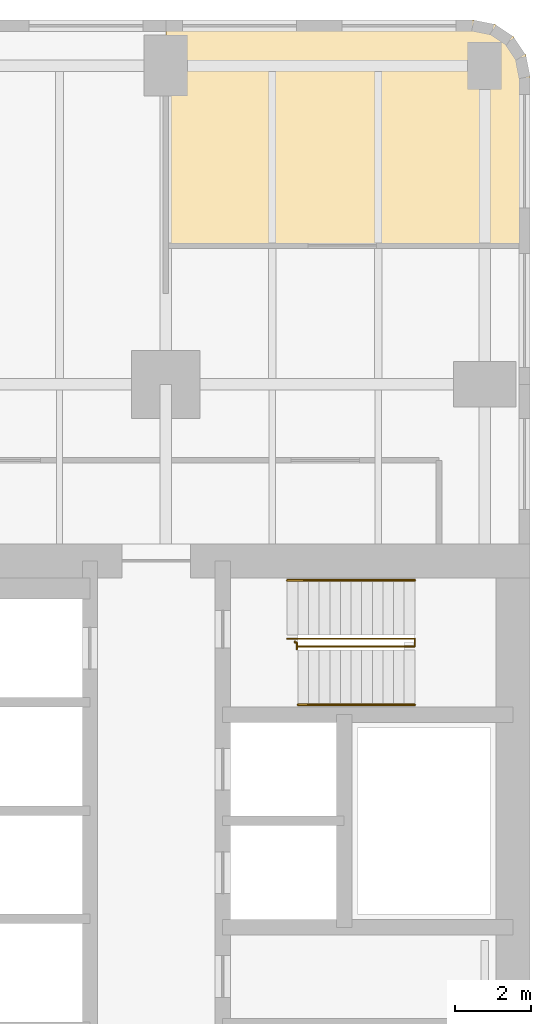
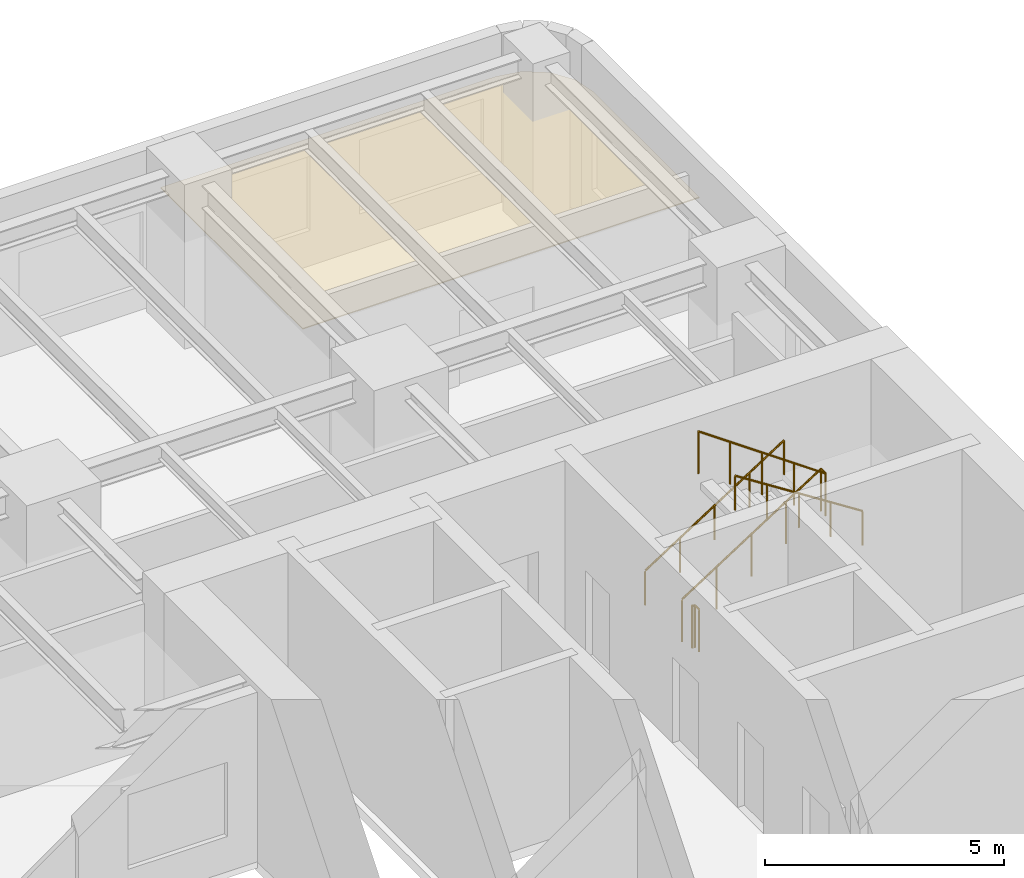
# One storey, part 14 of 14: 4 railings, 1 covering.
"""IFC4 building model written with IfcOpenShell, lengths in metres."""

from ifc_helpers import new_model, si_unit, direction, frame, origin, origin_2d, place, context, subcontext, project, spatial, polyline, circle, outline, extrude, material, layer, layer_set, type_object, element, save


model = new_model("IFC4")

# Units and contexts
model_context = context("Model", 3, precision=1e-05, world=origin(), true_north=direction((0.0, 1.0)))
body_context = subcontext(model_context, "Body", "Model", "MODEL_VIEW")
ifc_project = project(units=[si_unit("LENGTHUNIT", "METRE"), si_unit("AREAUNIT", "SQUARE_METRE"), si_unit("VOLUMEUNIT", "CUBIC_METRE"), si_unit("PLANEANGLEUNIT", "RADIAN"), si_unit("MASSUNIT", "GRAM", prefix="KILO")], contexts=[model_context])

# Site, building, storey
site_placement = place(None, origin())
site = spatial("IfcSite", under=ifc_project, at=site_placement, CompositionType="ELEMENT")
building_placement = place(site_placement, origin())
building = spatial("IfcBuilding", under=site, at=building_placement, Name="Claustro Exchange Tower", CompositionType="ELEMENT")
storey_placement = place(building_placement, frame((0.0, 0.0, 59.39990234375)))
storey = spatial("IfcBuildingStorey", under=building, at=storey_placement, Name="L13", CompositionType="ELEMENT", Elevation=59.39990234375)

# Covering
ifc_material_1 = material(Name="Gypsum board ceiling", Category="gypsum board")
ifc_layer = layer(ifc_material_1, 0.02490234375)
ifc_layer_set = layer_set([ifc_layer], Name="Gypsum board ceiling")
covering_type = type_object("IfcCoveringType", Name="CL2 plasterboard ceiling", PredefinedType="CEILING", material=ifc_layer_set)
covering_placement = place(storey_placement, frame((0.0, 0.0, 3.0)))
element("IfcCovering", 1, at=covering_placement, inside=storey, type_object=covering_type, Name="Ceiling CL2 L13-21", PredefinedType="CEILING", context=body_context, shape_type="SweptSolid", body=[
    extrude(outline(polyline([(50.10009765625, 51.60009765625), (42.0, 51.60009765625), (42.0, 45.64990234375), (51.60009765625, 45.64990234375), (51.60009765625, 50.10009765625), (51.48583984375, 50.674072265625), (51.16064453125, 51.16064453125), (50.674072265625, 51.48583984375), (50.10009765625, 51.60009765625)])), origin(), (0.0, 0.0, 1.0), 0.025146484375),
])

# Railings
ifc_material_2 = material(Name="Steel balustrade, painted", Category="steel")
railing_type_1 = type_object("IfcRailingType", Name="GR2 1100 steel stair guard", PredefinedType="GUARDRAIL", material=ifc_material_2)
railing_1_placement = place(storey_placement, frame((45.199951171875, 35.300048828125, 0.18017578125)))
element("IfcRailing", 2, at=railing_1_placement, inside=storey, type_object=railing_type_1, Name="Stair well guard GR2 stair STEB L13", PredefinedType="GUARDRAIL", context=body_context, shape_type="SweptSolid", body=[
    extrude(circle(Radius=0.02392578125, at=origin_2d()), frame((0.0, 0.0, 1.076171875), z_axis=(0.84119634759, 0.0, 0.540729789082), x_axis=(0.0, 1.0, 0.0)), (0.0, 0.0, 1.0), 3.994384765625),
    extrude(circle(Radius=0.02392578125, at=origin_2d()), frame((3.360107421875, 0.0, 3.23583984375), z_axis=(0.0, -1.0, 0.0), x_axis=(1.0, 0.0, 0.0)), (0.0, 0.0, 1.0), 0.199951171875),
    extrude(circle(Radius=0.02392578125, at=origin_2d()), frame((3.360107421875, -0.199951171875, 3.23583984375), z_axis=(-0.8187499073, 0.0, 0.574150319426), x_axis=(0.0, -1.0, 0.0)), (0.0, 0.0, 1.0), 3.761962890625),
    extrude(circle(Radius=0.02099609375, at=origin_2d()), origin(), (0.0, 0.0, 1.0), 1.052001953125),
    extrude(circle(Radius=0.02099609375, at=origin_2d()), frame((0.840087890625, 0.0, 0.5400390625)), (0.0, 0.0, 1.0), 1.052001953125),
    extrude(circle(Radius=0.02099609375, at=origin_2d()), frame((1.68017578125, 0.0, 1.080078125)), (0.0, 0.0, 1.0), 1.052001953125),
    extrude(circle(Radius=0.02099609375, at=origin_2d()), frame((2.52001953125, 0.0, 1.619873046875)), (0.0, 0.0, 1.0), 1.052001953125),
    extrude(circle(Radius=0.02099609375, at=origin_2d()), frame((3.360107421875, 0.0, 2.159912109375)), (0.0, 0.0, 1.0), 1.052001953125),
    extrude(circle(Radius=0.02099609375, at=origin_2d()), frame((3.360107421875, -0.199951171875, 2.159912109375)), (0.0, 0.0, 1.0), 1.052001953125),
    extrude(circle(Radius=0.02099609375, at=origin_2d()), frame((2.590087890625, -0.199951171875, 2.699951171875)), (0.0, 0.0, 1.0), 1.052001953125),
    extrude(circle(Radius=0.02099609375, at=origin_2d()), frame((1.820068359375, -0.199951171875, 3.23974609375)), (0.0, 0.0, 1.0), 1.052001953125),
    extrude(circle(Radius=0.02099609375, at=origin_2d()), frame((1.050048828125, -0.199951171875, 3.77978515625)), (0.0, 0.0, 1.0), 1.052001953125),
    extrude(circle(Radius=0.02099609375, at=origin_2d()), frame((0.280029296875, -0.199951171875, 4.31982421875)), (0.0, 0.0, 1.0), 1.052001953125),
])
railing_2_placement = place(storey_placement, frame((45.39990234375, 35.22998046875, 0.0)))
element("IfcRailing", 3, at=railing_2_placement, inside=storey, type_object=railing_type_1, Name="Stair guard GR2 STEB L13", PredefinedType="GUARDRAIL", context=body_context, shape_type="SweptSolid", body=[
    extrude(circle(Radius=0.02392578125, at=origin_2d()), frame((0.0, 0.0, 1.076171875), z_axis=(0.0, -1.0, 0.0), x_axis=(1.0, 0.0, 0.0)), (0.0, 0.0, 1.0), 0.030029296875),
    extrude(circle(Radius=0.02392578125, at=origin_2d()), frame((0.0, -0.030029296875, 1.076171875), z_axis=(1.0, 0.0, 0.0), x_axis=(0.0, 1.0, 0.0)), (0.0, 0.0, 1.0), 0.05517578125),
    extrude(circle(Radius=0.02392578125, at=origin_2d()), frame((0.05517578125, -0.030029296875, 1.076171875), z_axis=(0.0, -1.0, 0.0), x_axis=(1.0, 0.0, 0.0)), (0.0, 0.0, 1.0), 0.179931640625),
    extrude(circle(Radius=0.02099609375, at=origin_2d()), origin(), (0.0, 0.0, 1.0), 1.052001953125),
    extrude(circle(Radius=0.02099609375, at=origin_2d()), frame((0.0, -0.030029296875, 0.0)), (0.0, 0.0, 1.0), 1.052001953125),
    extrude(circle(Radius=0.02099609375, at=origin_2d()), frame((0.05517578125, -0.030029296875, 0.0)), (0.0, 0.0, 1.0), 1.052001953125),
    extrude(circle(Radius=0.02099609375, at=origin_2d()), frame((0.05517578125, -0.2099609375, 0.0)), (0.0, 0.0, 1.0), 1.052001953125),
])
ifc_material_3 = material(Name="Stainless steel tube", Category="steel")
railing_type_2 = type_object("IfcRailingType", Name="HR1 900 stair handrail", PredefinedType="HANDRAIL", material=ifc_material_3)
railing_3_placement = place(storey_placement, frame((45.199951171875, 36.840087890625, 0.18017578125)))
element("IfcRailing", 4, at=railing_3_placement, inside=storey, type_object=railing_type_2, Name="Handrail HR1 stair STEB L13", PredefinedType="HANDRAIL", context=body_context, shape_type="SweptSolid", body=[
    extrude(circle(Radius=0.02392578125, at=origin_2d()), frame((0.0, 0.0, 0.8759765625), z_axis=(0.84119634759, 0.0, 0.540729789082), x_axis=(0.0, 1.0, 0.0)), (0.0, 0.0, 1.0), 3.994384765625),
    extrude(circle(Radius=0.02099609375, at=origin_2d()), origin(), (0.0, 0.0, 1.0), 0.851806640625),
    extrude(circle(Radius=0.02099609375, at=origin_2d()), frame((0.840087890625, 0.0, 0.5400390625)), (0.0, 0.0, 1.0), 0.851806640625),
    extrude(circle(Radius=0.02099609375, at=origin_2d()), frame((1.68017578125, 0.0, 1.080078125)), (0.0, 0.0, 1.0), 0.851806640625),
    extrude(circle(Radius=0.02099609375, at=origin_2d()), frame((2.52001953125, 0.0, 1.619873046875)), (0.0, 0.0, 1.0), 0.851806640625),
    extrude(circle(Radius=0.02099609375, at=origin_2d()), frame((3.360107421875, 0.0, 2.159912109375)), (0.0, 0.0, 1.0), 0.851806640625),
])
railing_4_placement = place(storey_placement, frame((48.56005859375, 33.56005859375, 2.52001953125)))
element("IfcRailing", 5, at=railing_4_placement, inside=storey, type_object=railing_type_2, Name="Handrail HR1 stair STEB L13", PredefinedType="HANDRAIL", context=body_context, shape_type="SweptSolid", body=[
    extrude(circle(Radius=0.02392578125, at=origin_2d()), frame((0.0, 0.0, 0.8759765625), z_axis=(-0.84118714077, 0.0, 0.540744111576), x_axis=(0.0, -1.0, 0.0)), (0.0, 0.0, 1.0), 3.66162109375),
    extrude(circle(Radius=0.02099609375, at=origin_2d()), origin(), (0.0, 0.0, 1.0), 0.851806640625),
    extrude(circle(Radius=0.02099609375, at=origin_2d()), frame((-0.77001953125, 0.0, 0.4951171875)), (0.0, 0.0, 1.0), 0.851806640625),
    extrude(circle(Radius=0.02099609375, at=origin_2d()), frame((-1.5400390625, 0.0, 0.989990234375)), (0.0, 0.0, 1.0), 0.851806640625),
    extrude(circle(Radius=0.02099609375, at=origin_2d()), frame((-2.31005859375, 0.0, 1.48486328125)), (0.0, 0.0, 1.0), 0.851806640625),
    extrude(circle(Radius=0.02099609375, at=origin_2d()), frame((-3.080078125, 0.0, 1.97998046875)), (0.0, 0.0, 1.0), 0.851806640625),
])

save(model, "model.ifc")
